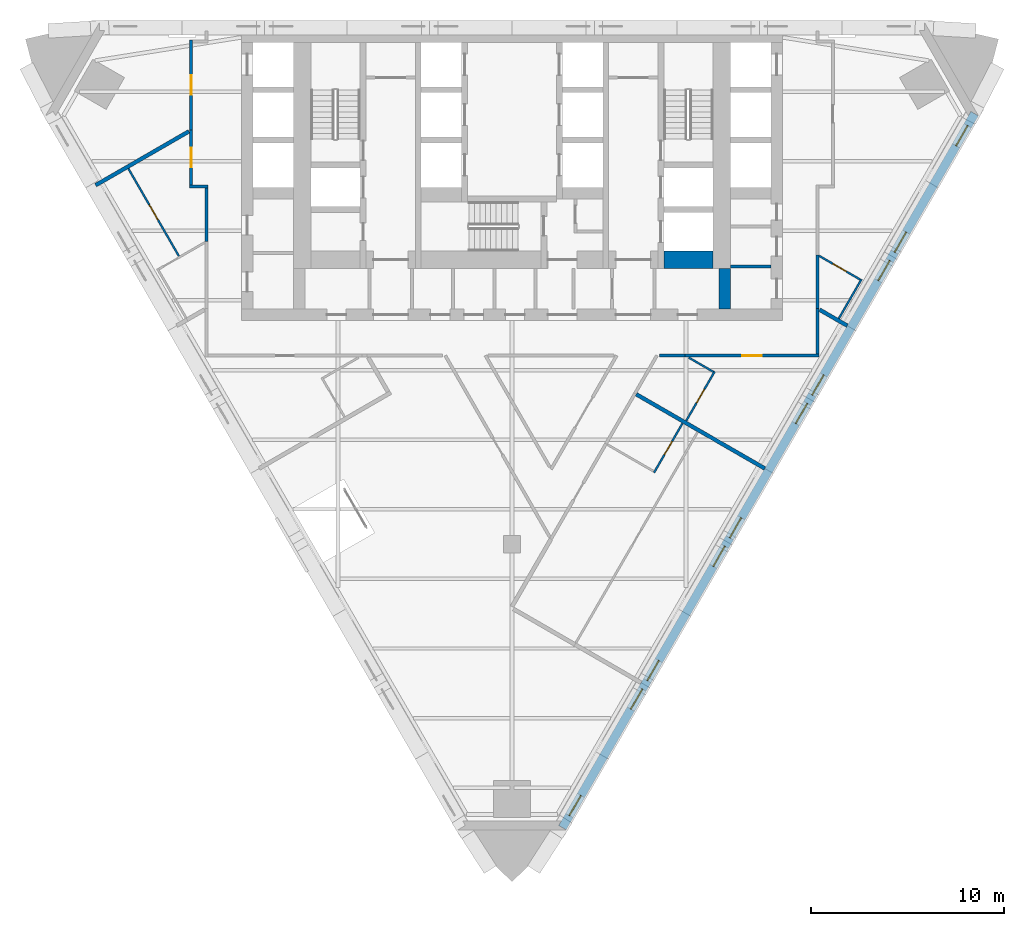
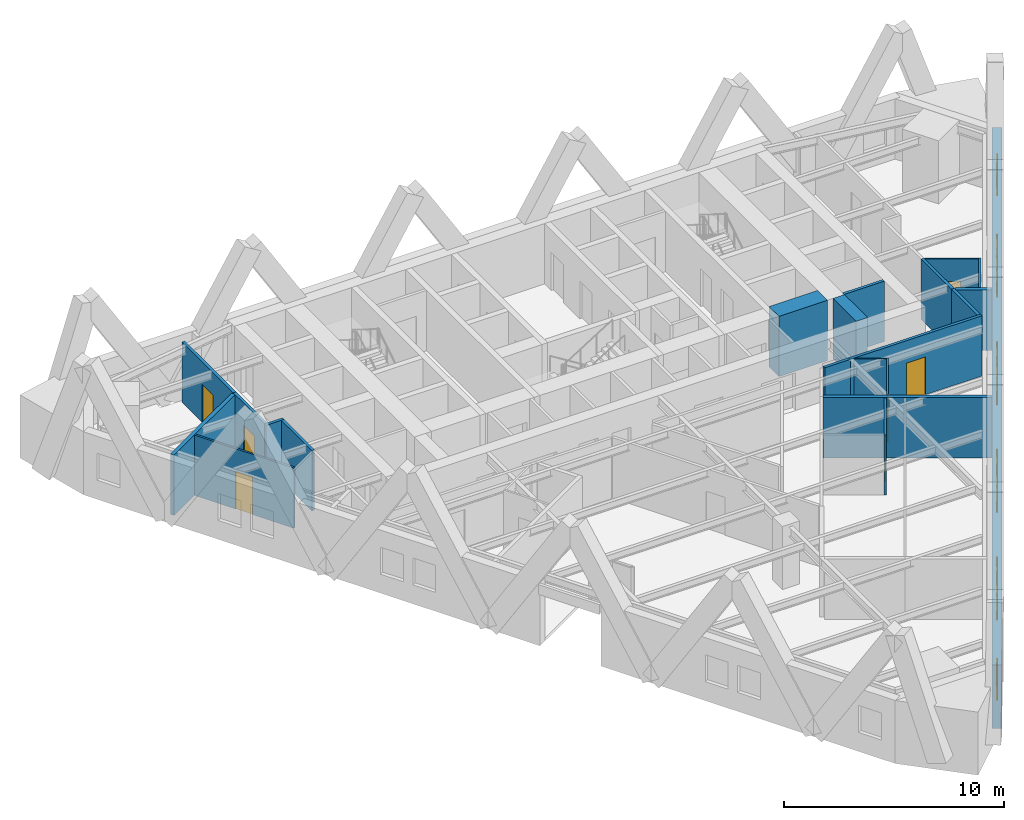
# One storey, part 8 of 12: 21 walls, 10 windows, 7 doors, 17 openings.
"""IFC4 building model written with IfcOpenShell, lengths in metres."""

from ifc_helpers import new_model, si_unit, direction, frame, frame_2d, origin, place, context, subcontext, project, spatial, polyline, rectangle, outline, extrude, material, layer, layer_set, type_object, element, fill, save


model = new_model("IFC4")

# Units and contexts
model_context = context("Model", 3, precision=1e-05, world=origin(), true_north=direction((0.0, 1.0)))
body_context = subcontext(model_context, "Body", "Model", "MODEL_VIEW")
ifc_project = project(units=[si_unit("LENGTHUNIT", "METRE"), si_unit("AREAUNIT", "SQUARE_METRE"), si_unit("VOLUMEUNIT", "CUBIC_METRE"), si_unit("PLANEANGLEUNIT", "RADIAN"), si_unit("MASSUNIT", "GRAM", prefix="KILO")], contexts=[model_context])

# Site, building, storey
site_placement = place(None, origin())
site = spatial("IfcSite", under=ifc_project, at=site_placement, CompositionType="ELEMENT")
building_placement = place(site_placement, origin())
building = spatial("IfcBuilding", under=site, at=building_placement, Name="Aloe Facet Convention Tower", CompositionType="ELEMENT")
storey_placement = place(building_placement, frame((0.0, 0.0, 102.800048828125)))
storey = spatial("IfcBuildingStorey", under=building, at=storey_placement, Name="L25", CompositionType="ELEMENT", Elevation=102.800048828125)

# Walls
ifc_material_1 = material(Name="Concrete blockwork partition", Category="masonry")
ifc_layer_1 = layer(ifc_material_1, 0.14990234375)
ifc_layer_set_1 = layer_set([ifc_layer_1], Name="CR-W-PART150")
wall_type_1 = type_object("IfcWallType", Name="CR-W-PART150", PredefinedType="PARTITIONING", material=ifc_layer_set_1)
wall_1_placement = place(storey_placement, frame((91.300048828125, 122.346435546875, 0.0), z_axis=(0.0, 0.0, 1.0), x_axis=(1.0, 0.0, 0.0)))
element("IfcWall", 1, at=wall_1_placement, inside=storey, type_object=wall_type_1, Name="Core partition L25-052", PredefinedType="PARTITIONING", context=body_context, shape_type="SweptSolid", body=[
    extrude(rectangle(XDim=2.099853515625, YDim=0.14990234375, at=frame_2d((1.0498046875, 0.0))), origin(), (0.0, 0.0, 1.0), 3.349853515625),
])
ifc_material_2 = material(Name="Concrete C70/85", Category="concrete")
ifc_layer_2 = layer(ifc_material_2, 0.60009765625)
ifc_layer_set_2 = layer_set([ifc_layer_2], Name="CR-W-RC600-C7085")
wall_type_2 = type_object("IfcWallType", Name="CR-W-RC600-C7085", PredefinedType="SOLIDWALL", material=ifc_layer_set_2)
wall_2_placement = place(storey_placement, frame((91.0, 122.25, 0.0), z_axis=(0.0, 0.0, 1.0), x_axis=(0.0, -1.0, 0.0)))
element("IfcWall", 2, at=wall_2_placement, inside=storey, type_object=wall_type_2, Name="Core wall L25-047", PredefinedType="SOLIDWALL", context=body_context, shape_type="SweptSolid", body=[
    extrude(rectangle(XDim=2.10009765625, YDim=0.60009765625, at=frame_2d((1.050048828125, 0.0))), origin(), (0.0, 0.0, 1.0), 3.349853515625),
])
ifc_material_3 = material(Name="Concrete C70/85", Category="concrete")
ifc_layer_3 = layer(ifc_material_3, 0.89990234375)
ifc_layer_set_3 = layer_set([ifc_layer_3], Name="CR-W-RC900-C7085")
wall_type_3 = type_object("IfcWallType", Name="CR-W-RC900-C7085", PredefinedType="SOLIDWALL", material=ifc_layer_set_3)
wall_3_placement = place(storey_placement, frame((87.85009765625, 122.699951171875, 0.0), z_axis=(0.0, 0.0, 1.0), x_axis=(1.0, 0.0, 0.0)))
element("IfcWall", 3, at=wall_3_placement, inside=storey, type_object=wall_type_3, Name="Core wall L25-045", PredefinedType="SOLIDWALL", context=body_context, shape_type="SweptSolid", body=[
    extrude(rectangle(XDim=2.5498046875, YDim=0.89990234375, at=frame_2d((1.27490234375, 0.0))), origin(), (0.0, 0.0, 1.0), 3.349853515625),
])

# Wall, openings, windows
ifc_material_4 = material(Name="Precast concrete C40/50", Category="concrete")
ifc_layer_4 = layer(ifc_material_4, 0.449951171875)
ifc_layer_set_4 = layer_set([ifc_layer_4], Name="EV-WALL-STONE")
wall_type_4 = type_object("IfcWallType", Name="EV-WALL-STONE", PredefinedType="SOLIDWALL", material=ifc_layer_set_4)
wall_4_placement = place(storey_placement, frame((82.605224609375, 93.332763671875, -0.150146484375), z_axis=(0.0, 0.0, 1.0), x_axis=(0.500000478905, 0.866025127289, 0.0)))
wall_4 = element("IfcWall", 4, at=wall_4_placement, inside=storey, type_object=wall_type_4, Name="EW-L25-E01", PredefinedType="SOLIDWALL", context=body_context, shape_type="SweptSolid", body=[
    extrude(outline(polyline([(42.64306640625, 0.0), (42.64306640625, 3.5), (0.0, 3.5), (0.0, 0.0), (42.64306640625, 0.0)])), frame((0.0, 0.22509765625, 0.0), z_axis=(0.0, -1.0, 0.0), x_axis=(1.0, 0.0, 0.0)), (0.0, 0.0, 1.0), 0.449951171875),
])
opening_1_placement = place(wall_4_placement, frame((0.720458984375, 0.0, 1.050048828125)))
opening_1 = element("IfcOpeningElement", 5, at=opening_1_placement, cuts=wall_4, Name="Opening W-L25-E01", PredefinedType="OPENING", context=body_context, shape_type="SweptSolid", body=[
    extrude(rectangle(XDim=1.199951171875, YDim=1.5, at=frame_2d((0.60009765625, 0.75))), frame((0.0, 0.23486328125, 0.0), z_axis=(0.0, -1.0, 0.0), x_axis=(1.0, 0.0, 0.0)), (0.0, 0.0, 1.0), 0.469970703125),
])
opening_2_placement = place(wall_4_placement, frame((7.07861328125, 0.0, 1.050048828125)))
opening_2 = element("IfcOpeningElement", 6, at=opening_2_placement, cuts=wall_4, Name="Opening W-L25-E02", PredefinedType="OPENING", context=body_context, shape_type="SweptSolid", body=[
    extrude(rectangle(XDim=1.199951171875, YDim=1.5, at=frame_2d((0.60009765625, 0.75))), frame((0.0, 0.23486328125, 0.0), z_axis=(0.0, -1.0, 0.0), x_axis=(1.0, 0.0, 0.0)), (0.0, 0.0, 1.0), 0.469970703125),
])
opening_3_placement = place(wall_4_placement, frame((8.778564453125, 0.0, 1.050048828125)))
opening_3 = element("IfcOpeningElement", 7, at=opening_3_placement, cuts=wall_4, Name="Opening W-L25-E03", PredefinedType="OPENING", context=body_context, shape_type="SweptSolid", body=[
    extrude(rectangle(XDim=1.199951171875, YDim=1.5, at=frame_2d((0.60009765625, 0.75))), frame((0.0, 0.23486328125, 0.0), z_axis=(0.0, -1.0, 0.0), x_axis=(1.0, 0.0, 0.0)), (0.0, 0.0, 1.0), 0.469970703125),
])
opening_4_placement = place(wall_4_placement, frame((15.607177734375, 0.0, 1.050048828125)))
opening_4 = element("IfcOpeningElement", 8, at=opening_4_placement, cuts=wall_4, Name="Opening W-L25-E04", PredefinedType="OPENING", context=body_context, shape_type="SweptSolid", body=[
    extrude(rectangle(XDim=1.199951171875, YDim=1.5, at=frame_2d((0.60009765625, 0.75))), frame((0.0, 0.23486328125, 0.0), z_axis=(0.0, -1.0, 0.0), x_axis=(1.0, 0.0, 0.0)), (0.0, 0.0, 1.0), 0.469970703125),
])
opening_5_placement = place(wall_4_placement, frame((17.30712890625, 0.0, 1.050048828125)))
opening_5 = element("IfcOpeningElement", 9, at=opening_5_placement, cuts=wall_4, Name="Opening W-L25-E05", PredefinedType="OPENING", context=body_context, shape_type="SweptSolid", body=[
    extrude(rectangle(XDim=1.199951171875, YDim=1.5, at=frame_2d((0.60009765625, 0.75))), frame((0.0, 0.23486328125, 0.0), z_axis=(0.0, -1.0, 0.0), x_axis=(1.0, 0.0, 0.0)), (0.0, 0.0, 1.0), 0.469970703125),
])
opening_6_placement = place(wall_4_placement, frame((24.1357421875, 0.0, 1.050048828125)))
opening_6 = element("IfcOpeningElement", 10, at=opening_6_placement, cuts=wall_4, Name="Opening W-L25-E06", PredefinedType="OPENING", context=body_context, shape_type="SweptSolid", body=[
    extrude(rectangle(XDim=1.199951171875, YDim=1.5, at=frame_2d((0.60009765625, 0.75))), frame((0.0, 0.23486328125, 0.0), z_axis=(0.0, -1.0, 0.0), x_axis=(1.0, 0.0, 0.0)), (0.0, 0.0, 1.0), 0.469970703125),
])
opening_7_placement = place(wall_4_placement, frame((25.8359375, 0.0, 1.050048828125)))
opening_7 = element("IfcOpeningElement", 11, at=opening_7_placement, cuts=wall_4, Name="Opening W-L25-E07", PredefinedType="OPENING", context=body_context, shape_type="SweptSolid", body=[
    extrude(rectangle(XDim=1.199951171875, YDim=1.5, at=frame_2d((0.60009765625, 0.75))), frame((0.0, 0.23486328125, 0.0), z_axis=(0.0, -1.0, 0.0), x_axis=(1.0, 0.0, 0.0)), (0.0, 0.0, 1.0), 0.469970703125),
])
opening_8_placement = place(wall_4_placement, frame((32.66455078125, 0.0, 1.050048828125)))
opening_8 = element("IfcOpeningElement", 12, at=opening_8_placement, cuts=wall_4, Name="Opening W-L25-E08", PredefinedType="OPENING", context=body_context, shape_type="SweptSolid", body=[
    extrude(rectangle(XDim=1.199951171875, YDim=1.5, at=frame_2d((0.60009765625, 0.75))), frame((0.0, 0.23486328125, 0.0), z_axis=(0.0, -1.0, 0.0), x_axis=(1.0, 0.0, 0.0)), (0.0, 0.0, 1.0), 0.469970703125),
])
opening_9_placement = place(wall_4_placement, frame((34.364501953125, 0.0, 1.050048828125)))
opening_9 = element("IfcOpeningElement", 13, at=opening_9_placement, cuts=wall_4, Name="Opening W-L25-E09", PredefinedType="OPENING", context=body_context, shape_type="SweptSolid", body=[
    extrude(rectangle(XDim=1.199951171875, YDim=1.5, at=frame_2d((0.60009765625, 0.75))), frame((0.0, 0.23486328125, 0.0), z_axis=(0.0, -1.0, 0.0), x_axis=(1.0, 0.0, 0.0)), (0.0, 0.0, 1.0), 0.469970703125),
])
opening_10_placement = place(wall_4_placement, frame((40.722412109375, 0.0, 1.050048828125)))
opening_10 = element("IfcOpeningElement", 14, at=opening_10_placement, cuts=wall_4, Name="Opening W-L25-E10", PredefinedType="OPENING", context=body_context, shape_type="SweptSolid", body=[
    extrude(rectangle(XDim=1.199951171875, YDim=1.5, at=frame_2d((0.60009765625, 0.75))), frame((0.0, 0.23486328125, 0.0), z_axis=(0.0, -1.0, 0.0), x_axis=(1.0, 0.0, 0.0)), (0.0, 0.0, 1.0), 0.469970703125),
])
ifc_material_5 = material(Name="Aluminium frame, clear double glazing", Category="aluminium")
window_type = type_object("IfcWindowType", Name="EV-WIN-H12", PartitioningType="SINGLE_PANEL", PredefinedType="WINDOW", material=ifc_material_5)
window_1_placement = place(opening_1_placement, origin())
window_1 = element("IfcWindow", 15, at=window_1_placement, inside=storey, type_object=window_type, Name="W-L25-E01", OverallHeight=1.5, OverallWidth=1.199951171875, PartitioningType="SINGLE_PANEL", PredefinedType="WINDOW", context=body_context, shape_type="SweptSolid", body=[
    extrude(rectangle(XDim=1.199951171875, YDim=1.5, at=frame_2d((0.60009765625, 0.75))), frame((0.0, 0.030029296875, 0.0), z_axis=(0.0, -1.0, 0.0), x_axis=(1.0, 0.0, 0.0)), (0.0, 0.0, 1.0), 0.06005859375),
])
fill(opening_1, window_1)
window_2_placement = place(opening_2_placement, origin())
window_2 = element("IfcWindow", 16, at=window_2_placement, inside=storey, type_object=window_type, Name="W-L25-E02", OverallHeight=1.5, OverallWidth=1.199951171875, PartitioningType="SINGLE_PANEL", PredefinedType="WINDOW", context=body_context, shape_type="SweptSolid", body=[
    extrude(rectangle(XDim=1.199951171875, YDim=1.5, at=frame_2d((0.60009765625, 0.75))), frame((0.0, 0.030029296875, 0.0), z_axis=(0.0, -1.0, 0.0), x_axis=(1.0, 0.0, 0.0)), (0.0, 0.0, 1.0), 0.06005859375),
])
fill(opening_2, window_2)
window_3_placement = place(opening_3_placement, origin())
window_3 = element("IfcWindow", 17, at=window_3_placement, inside=storey, type_object=window_type, Name="W-L25-E03", OverallHeight=1.5, OverallWidth=1.199951171875, PartitioningType="SINGLE_PANEL", PredefinedType="WINDOW", context=body_context, shape_type="SweptSolid", body=[
    extrude(rectangle(XDim=1.199951171875, YDim=1.5, at=frame_2d((0.60009765625, 0.75))), frame((0.0, 0.030029296875, 0.0), z_axis=(0.0, -1.0, 0.0), x_axis=(1.0, 0.0, 0.0)), (0.0, 0.0, 1.0), 0.06005859375),
])
fill(opening_3, window_3)
window_4_placement = place(opening_4_placement, origin())
window_4 = element("IfcWindow", 18, at=window_4_placement, inside=storey, type_object=window_type, Name="W-L25-E04", OverallHeight=1.5, OverallWidth=1.199951171875, PartitioningType="SINGLE_PANEL", PredefinedType="WINDOW", context=body_context, shape_type="SweptSolid", body=[
    extrude(rectangle(XDim=1.199951171875, YDim=1.5, at=frame_2d((0.60009765625, 0.75))), frame((0.0, 0.030029296875, 0.0), z_axis=(0.0, -1.0, 0.0), x_axis=(1.0, 0.0, 0.0)), (0.0, 0.0, 1.0), 0.06005859375),
])
fill(opening_4, window_4)
window_5_placement = place(opening_5_placement, origin())
window_5 = element("IfcWindow", 19, at=window_5_placement, inside=storey, type_object=window_type, Name="W-L25-E05", OverallHeight=1.5, OverallWidth=1.199951171875, PartitioningType="SINGLE_PANEL", PredefinedType="WINDOW", context=body_context, shape_type="SweptSolid", body=[
    extrude(rectangle(XDim=1.199951171875, YDim=1.5, at=frame_2d((0.60009765625, 0.75))), frame((0.0, 0.030029296875, 0.0), z_axis=(0.0, -1.0, 0.0), x_axis=(1.0, 0.0, 0.0)), (0.0, 0.0, 1.0), 0.06005859375),
])
fill(opening_5, window_5)
window_6_placement = place(opening_6_placement, origin())
window_6 = element("IfcWindow", 20, at=window_6_placement, inside=storey, type_object=window_type, Name="W-L25-E06", OverallHeight=1.5, OverallWidth=1.199951171875, PartitioningType="SINGLE_PANEL", PredefinedType="WINDOW", context=body_context, shape_type="SweptSolid", body=[
    extrude(rectangle(XDim=1.199951171875, YDim=1.5, at=frame_2d((0.60009765625, 0.75))), frame((0.0, 0.030029296875, 0.0), z_axis=(0.0, -1.0, 0.0), x_axis=(1.0, 0.0, 0.0)), (0.0, 0.0, 1.0), 0.06005859375),
])
fill(opening_6, window_6)
window_7_placement = place(opening_7_placement, origin())
window_7 = element("IfcWindow", 21, at=window_7_placement, inside=storey, type_object=window_type, Name="W-L25-E07", OverallHeight=1.5, OverallWidth=1.199951171875, PartitioningType="SINGLE_PANEL", PredefinedType="WINDOW", context=body_context, shape_type="SweptSolid", body=[
    extrude(rectangle(XDim=1.199951171875, YDim=1.5, at=frame_2d((0.60009765625, 0.75))), frame((0.0, 0.030029296875, 0.0), z_axis=(0.0, -1.0, 0.0), x_axis=(1.0, 0.0, 0.0)), (0.0, 0.0, 1.0), 0.06005859375),
])
fill(opening_7, window_7)
window_8_placement = place(opening_8_placement, origin())
window_8 = element("IfcWindow", 22, at=window_8_placement, inside=storey, type_object=window_type, Name="W-L25-E08", OverallHeight=1.5, OverallWidth=1.199951171875, PartitioningType="SINGLE_PANEL", PredefinedType="WINDOW", context=body_context, shape_type="SweptSolid", body=[
    extrude(rectangle(XDim=1.199951171875, YDim=1.5, at=frame_2d((0.60009765625, 0.75))), frame((0.0, 0.030029296875, 0.0), z_axis=(0.0, -1.0, 0.0), x_axis=(1.0, 0.0, 0.0)), (0.0, 0.0, 1.0), 0.06005859375),
])
fill(opening_8, window_8)
window_9_placement = place(opening_9_placement, origin())
window_9 = element("IfcWindow", 23, at=window_9_placement, inside=storey, type_object=window_type, Name="W-L25-E09", OverallHeight=1.5, OverallWidth=1.199951171875, PartitioningType="SINGLE_PANEL", PredefinedType="WINDOW", context=body_context, shape_type="SweptSolid", body=[
    extrude(rectangle(XDim=1.199951171875, YDim=1.5, at=frame_2d((0.60009765625, 0.75))), frame((0.0, 0.030029296875, 0.0), z_axis=(0.0, -1.0, 0.0), x_axis=(1.0, 0.0, 0.0)), (0.0, 0.0, 1.0), 0.06005859375),
])
fill(opening_9, window_9)
window_10_placement = place(opening_10_placement, origin())
window_10 = element("IfcWindow", 24, at=window_10_placement, inside=storey, type_object=window_type, Name="W-L25-E10", OverallHeight=1.5, OverallWidth=1.199951171875, PartitioningType="SINGLE_PANEL", PredefinedType="WINDOW", context=body_context, shape_type="SweptSolid", body=[
    extrude(rectangle(XDim=1.199951171875, YDim=1.5, at=frame_2d((0.60009765625, 0.75))), frame((0.0, 0.030029296875, 0.0), z_axis=(0.0, -1.0, 0.0), x_axis=(1.0, 0.0, 0.0)), (0.0, 0.0, 1.0), 0.06005859375),
])
fill(opening_10, window_10)

# Wall
ifc_material_6 = material(Name="Gypsum board partition on steel studs", Category="steel")
ifc_layer_5 = layer(ifc_material_6, 0.14990234375)
ifc_layer_set_5 = layer_set([ifc_layer_5], Name="IN-W-CORR")
wall_type_5 = type_object("IfcWallType", Name="IN-W-CORR", PredefinedType="PARTITIONING", material=ifc_layer_set_5)
wall_5_placement = place(storey_placement, frame((87.62353515625, 117.75, 0.0), z_axis=(0.0, 0.0, 1.0), x_axis=(1.0, 0.0, 0.0)))
element("IfcWall", 25, at=wall_5_placement, inside=storey, type_object=wall_type_5, Name="Partition L25-W040", PredefinedType="PARTITIONING", context=body_context, shape_type="SweptSolid", body=[
    extrude(rectangle(XDim=1.332763671875, YDim=0.14990234375, at=frame_2d((0.66650390625, 0.0))), origin(), (0.0, 0.0, 1.0), 3.349853515625),
])

# Wall, opening, door
wall_6_placement = place(storey_placement, frame((88.956298828125, 117.75, 0.0), z_axis=(0.0, 0.0, 1.0), x_axis=(1.0, 0.0, 0.0)))
wall_6 = element("IfcWall", 26, at=wall_6_placement, inside=storey, type_object=wall_type_5, Name="Partition L25-W042", PredefinedType="PARTITIONING", context=body_context, shape_type="SweptSolid", body=[
    extrude(rectangle(XDim=6.918701171875, YDim=0.14990234375, at=frame_2d((3.45947265625, 0.0))), origin(), (0.0, 0.0, 1.0), 3.349853515625),
])
opening_11_placement = place(wall_6_placement, frame((2.959228515625, 0.0, 0.0)))
opening_11 = element("IfcOpeningElement", 27, at=opening_11_placement, cuts=wall_6, Name="Opening L25-002", PredefinedType="OPENING", context=body_context, shape_type="SweptSolid", body=[
    extrude(rectangle(XDim=1.0, YDim=2.10009765625, at=frame_2d((0.5, 1.050048828125))), frame((0.0, 0.0849609375, 0.0), z_axis=(0.0, -1.0, 0.0), x_axis=(1.0, 0.0, 0.0)), (0.0, 0.0, 1.0), 0.169921875),
])
ifc_material_7 = material(Name="Hardwood flush door FD30S", Category="wood")
door_type_1 = type_object("IfcDoorType", Name="IN-D-WIDE", OperationType="SINGLE_SWING_LEFT", PredefinedType="DOOR", material=ifc_material_7)
door_1_placement = place(opening_11_placement, origin())
door_1 = element("IfcDoor", 28, at=door_1_placement, inside=storey, type_object=door_type_1, Name="Door L25-002", OperationType="SINGLE_SWING_LEFT", OverallHeight=2.10009765625, OverallWidth=1.0, PredefinedType="DOOR", context=body_context, shape_type="SweptSolid", body=[
    extrude(rectangle(XDim=1.0, YDim=2.10009765625, at=frame_2d((0.5, 1.050048828125))), frame((0.0, 0.02490234375, 0.0), z_axis=(0.0, -1.0, 0.0), x_axis=(1.0, 0.0, 0.0)), (0.0, 0.0, 1.0), 0.050048828125),
])
fill(opening_11, door_1)

# Walls
wall_7_placement = place(storey_placement, frame((95.800048828125, 117.824951171875, 0.0), z_axis=(0.0, 0.0, 1.0), x_axis=(0.0, 1.0, 0.0)))
element("IfcWall", 29, at=wall_7_placement, inside=storey, type_object=wall_type_5, Name="Partition L25-W049", PredefinedType="PARTITIONING", context=body_context, shape_type="SweptSolid", body=[
    extrude(rectangle(XDim=2.357666015625, YDim=0.14990234375, at=frame_2d((1.1787109375, 0.0))), origin(), (0.0, 0.0, 1.0), 3.349853515625),
])
wall_8_placement = place(storey_placement, frame((95.800048828125, 120.1826171875, 0.0), z_axis=(0.0, 0.0, 1.0), x_axis=(0.0, 1.0, 0.0)))
element("IfcWall", 30, at=wall_8_placement, inside=storey, type_object=wall_type_5, Name="Partition L25-W051", PredefinedType="PARTITIONING", context=body_context, shape_type="SweptSolid", body=[
    extrude(rectangle(XDim=2.771484375, YDim=0.14990234375, at=frame_2d((1.3857421875, 0.0))), origin(), (0.0, 0.0, 1.0), 3.349853515625),
])
wall_9_placement = place(storey_placement, frame((63.324951171875, 126.5, 0.0), z_axis=(0.0, 0.0, 1.0), x_axis=(1.0, 0.0, 0.0)))
element("IfcWall", 31, at=wall_9_placement, inside=storey, type_object=wall_type_5, Name="Partition L25-W059", PredefinedType="PARTITIONING", context=body_context, shape_type="SweptSolid", body=[
    extrude(rectangle(XDim=0.949951171875, YDim=0.14990234375, at=frame_2d((0.47509765625, 0.0))), origin(), (0.0, 0.0, 1.0), 3.349853515625),
])
wall_10_placement = place(storey_placement, frame((64.199951171875, 123.646728515625, 0.0), z_axis=(0.0, 0.0, 1.0), x_axis=(0.0, 1.0, 0.0)))
element("IfcWall", 32, at=wall_10_placement, inside=storey, type_object=wall_type_5, Name="Partition L25-W060", PredefinedType="PARTITIONING", context=body_context, shape_type="SweptSolid", body=[
    extrude(rectangle(XDim=2.7783203125, YDim=0.14990234375, at=frame_2d((1.38916015625, 0.0))), origin(), (0.0, 0.0, 1.0), 3.349853515625),
])

# Wall, opening, door
wall_11_placement = place(storey_placement, frame((63.39990234375, 126.574951171875, 0.0), z_axis=(0.0, 0.0, 1.0), x_axis=(0.0, 1.0, 0.0)))
wall_11 = element("IfcWall", 33, at=wall_11_placement, inside=storey, type_object=wall_type_5, Name="Partition L25-W065", PredefinedType="PARTITIONING", context=body_context, shape_type="SweptSolid", body=[
    extrude(rectangle(XDim=2.830810546875, YDim=0.14990234375, at=frame_2d((1.41552734375, 0.0))), origin(), (0.0, 0.0, 1.0), 3.349853515625),
])
opening_12_placement = place(wall_11_placement, frame((0.915283203125, 0.0, 0.0)))
opening_12 = element("IfcOpeningElement", 34, at=opening_12_placement, cuts=wall_11, Name="Opening L25-007", PredefinedType="OPENING", context=body_context, shape_type="SweptSolid", body=[
    extrude(rectangle(XDim=1.0, YDim=2.10009765625, at=frame_2d((0.5, 1.050048828125))), frame((0.0, 0.0849609375, 0.0), z_axis=(0.0, -1.0, 0.0), x_axis=(1.0, 0.0, 0.0)), (0.0, 0.0, 1.0), 0.169921875),
])
door_2_placement = place(opening_12_placement, origin())
door_2 = element("IfcDoor", 35, at=door_2_placement, inside=storey, type_object=door_type_1, Name="Door L25-007", OperationType="SINGLE_SWING_LEFT", OverallHeight=2.10009765625, OverallWidth=1.0, PredefinedType="DOOR", context=body_context, shape_type="SweptSolid", body=[
    extrude(rectangle(XDim=1.0, YDim=2.10009765625, at=frame_2d((0.5, 1.050048828125))), frame((0.0, 0.02490234375, 0.0), z_axis=(0.0, -1.0, 0.0), x_axis=(1.0, 0.0, 0.0)), (0.0, 0.0, 1.0), 0.050048828125),
])
fill(opening_12, door_2)

wall_12_placement = place(storey_placement, frame((63.39990234375, 129.40576171875, 0.0), z_axis=(0.0, 0.0, 1.0), x_axis=(0.0, 1.0, 0.0)))
wall_12 = element("IfcWall", 36, at=wall_12_placement, inside=storey, type_object=wall_type_5, Name="Partition L25-W067", PredefinedType="PARTITIONING", context=body_context, shape_type="SweptSolid", body=[
    extrude(rectangle(XDim=4.669189453125, YDim=0.14990234375, at=frame_2d((2.33447265625, 0.0))), origin(), (0.0, 0.0, 1.0), 3.349853515625),
])
opening_13_placement = place(wall_12_placement, frame((1.834716796875, 0.0, 0.0)))
opening_13 = element("IfcOpeningElement", 37, at=opening_13_placement, cuts=wall_12, Name="Opening L25-005", PredefinedType="OPENING", context=body_context, shape_type="SweptSolid", body=[
    extrude(rectangle(XDim=1.0, YDim=2.10009765625, at=frame_2d((0.5, 1.050048828125))), frame((0.0, 0.0849609375, 0.0), z_axis=(0.0, -1.0, 0.0), x_axis=(1.0, 0.0, 0.0)), (0.0, 0.0, 1.0), 0.169921875),
])
door_3_placement = place(opening_13_placement, origin())
door_3 = element("IfcDoor", 38, at=door_3_placement, inside=storey, type_object=door_type_1, Name="Door L25-005", OperationType="SINGLE_SWING_LEFT", OverallHeight=2.10009765625, OverallWidth=1.0, PredefinedType="DOOR", context=body_context, shape_type="SweptSolid", body=[
    extrude(rectangle(XDim=1.0, YDim=2.10009765625, at=frame_2d((0.5, 1.050048828125))), frame((0.0, 0.02490234375, 0.0), z_axis=(0.0, -1.0, 0.0), x_axis=(1.0, 0.0, 0.0)), (0.0, 0.0, 1.0), 0.050048828125),
])
fill(opening_13, door_3)

ifc_material_8 = material(Name="Gypsum board partition on steel studs", Category="steel")
ifc_layer_6 = layer(ifc_material_8, 0.10009765625)
ifc_layer_set_6 = layer_set([ifc_layer_6], Name="IN-W-PART")
wall_type_6 = type_object("IfcWallType", Name="IN-W-PART", PredefinedType="PARTITIONING", material=ifc_layer_set_6)
wall_13_placement = place(storey_placement, frame((87.345947265625, 111.69384765625, 0.0), z_axis=(0.0, 0.0, 1.0), x_axis=(0.499988418424, 0.866032090307, 0.0)))
wall_13 = element("IfcWall", 39, at=wall_13_placement, inside=storey, type_object=wall_type_6, Name="Partition L25-W006", PredefinedType="PARTITIONING", context=body_context, shape_type="SweptSolid", body=[
    extrude(rectangle(XDim=2.93994140625, YDim=0.10009765625, at=frame_2d((1.469970703125, 0.0))), origin(), (0.0, 0.0, 1.0), 3.349853515625),
])
opening_14_placement = place(wall_13_placement, frame((1.070068359375, 0.0, 0.0)))
opening_14 = element("IfcOpeningElement", 40, at=opening_14_placement, cuts=wall_13, Name="Opening L25-012", PredefinedType="OPENING", context=body_context, shape_type="SweptSolid", body=[
    extrude(rectangle(XDim=0.800048828125, YDim=2.10009765625, at=frame_2d((0.39990234375, 1.050048828125))), frame((0.0, 0.06005859375, 0.0), z_axis=(0.0, -1.0, 0.0), x_axis=(1.0, 0.0, 0.0)), (0.0, 0.0, 1.0), 0.1201171875),
])
ifc_material_9 = material(Name="Timber flush door", Category="wood")
door_type_2 = type_object("IfcDoorType", Name="IN-D-BATH", OperationType="SINGLE_SWING_LEFT", PredefinedType="DOOR", material=ifc_material_9)
door_4_placement = place(opening_14_placement, origin())
door_4 = element("IfcDoor", 41, at=door_4_placement, inside=storey, type_object=door_type_2, Name="Door L25-012", OperationType="SINGLE_SWING_LEFT", OverallHeight=2.10009765625, OverallWidth=0.800048828125, PredefinedType="DOOR", context=body_context, shape_type="SweptSolid", body=[
    extrude(rectangle(XDim=0.800048828125, YDim=2.10009765625, at=frame_2d((0.39990234375, 1.050048828125))), frame((0.0, 0.02490234375, 0.0), z_axis=(0.0, -1.0, 0.0), x_axis=(1.0, 0.0, 0.0)), (0.0, 0.0, 1.0), 0.050048828125),
])
fill(opening_14, door_4)

wall_14_placement = place(storey_placement, frame((89.00732421875, 114.371826171875, 0.0), z_axis=(0.0, 0.0, 1.0), x_axis=(0.500001826776, 0.866024349092, 0.0)))
wall_14 = element("IfcWall", 42, at=wall_14_placement, inside=storey, type_object=wall_type_6, Name="Partition L25-W032", PredefinedType="PARTITIONING", context=body_context, shape_type="SweptSolid", body=[
    extrude(rectangle(XDim=2.9501953125, YDim=0.10009765625, at=frame_2d((1.47509765625, 0.0))), origin(), (0.0, 0.0, 1.0), 3.349853515625),
])
opening_15_placement = place(wall_14_placement, frame((1.074951171875, 0.0, 0.0)))
opening_15 = element("IfcOpeningElement", 43, at=opening_15_placement, cuts=wall_14, Name="Opening L25-014", PredefinedType="OPENING", context=body_context, shape_type="SweptSolid", body=[
    extrude(rectangle(XDim=0.800048828125, YDim=2.10009765625, at=frame_2d((0.39990234375, 1.050048828125))), frame((0.0, 0.06005859375, 0.0), z_axis=(0.0, -1.0, 0.0), x_axis=(1.0, 0.0, 0.0)), (0.0, 0.0, 1.0), 0.1201171875),
])
door_5_placement = place(opening_15_placement, origin())
door_5 = element("IfcDoor", 44, at=door_5_placement, inside=storey, type_object=door_type_2, Name="Door L25-014", OperationType="SINGLE_SWING_LEFT", OverallHeight=2.10009765625, OverallWidth=0.800048828125, PredefinedType="DOOR", context=body_context, shape_type="SweptSolid", body=[
    extrude(rectangle(XDim=0.800048828125, YDim=2.10009765625, at=frame_2d((0.39990234375, 1.050048828125))), frame((0.0, 0.02490234375, 0.0), z_axis=(0.0, -1.0, 0.0), x_axis=(1.0, 0.0, 0.0)), (0.0, 0.0, 1.0), 0.050048828125),
])
fill(opening_15, door_5)

# Walls
wall_15_placement = place(storey_placement, frame((89.1337890625, 117.6474609375, 0.0), z_axis=(0.0, 0.0, 1.0), x_axis=(0.866070083097, -0.499922605174, 0.0)))
element("IfcWall", 45, at=wall_15_placement, inside=storey, type_object=wall_type_6, Name="Partition L25-W041", PredefinedType="PARTITIONING", context=body_context, shape_type="SweptSolid", body=[
    extrude(rectangle(XDim=1.478271484375, YDim=0.10009765625, at=frame_2d((0.7392578125, 0.0))), origin(), (0.0, 0.0, 1.0), 3.349853515625),
])
wall_16_placement = place(storey_placement, frame((96.901611328125, 119.662109375, 0.0), z_axis=(0.0, 0.0, 1.0), x_axis=(0.500016218704, 0.866016039709, 0.0)))
element("IfcWall", 46, at=wall_16_placement, inside=storey, type_object=wall_type_6, Name="Partition L25-W052", PredefinedType="PARTITIONING", context=body_context, shape_type="SweptSolid", body=[
    extrude(rectangle(XDim=2.35009765625, YDim=0.10009765625, at=frame_2d((1.175048828125, 0.0))), origin(), (0.0, 0.0, 1.0), 3.349853515625),
])

# Wall, opening, door
wall_17_placement = place(storey_placement, frame((60.1591796875, 127.419189453125, 0.0), z_axis=(0.0, 0.0, 1.0), x_axis=(0.499971765402, -0.866041704423, 0.0)))
wall_17 = element("IfcWall", 47, at=wall_17_placement, inside=storey, type_object=wall_type_6, Name="Partition L25-W054", PredefinedType="PARTITIONING", context=body_context, shape_type="SweptSolid", body=[
    extrude(rectangle(XDim=5.227294921875, YDim=0.10009765625, at=frame_2d((2.61376953125, 0.0))), origin(), (0.0, 0.0, 1.0), 3.349853515625),
])
opening_16_placement = place(wall_17_placement, frame((2.16357421875, 0.0, 0.0)))
opening_16 = element("IfcOpeningElement", 48, at=opening_16_placement, cuts=wall_17, Name="Opening L25-010", PredefinedType="OPENING", context=body_context, shape_type="SweptSolid", body=[
    extrude(rectangle(XDim=0.89990234375, YDim=2.10009765625, at=frame_2d((0.449951171875, 1.050048828125))), frame((0.0, 0.06005859375, 0.0), z_axis=(0.0, -1.0, 0.0), x_axis=(1.0, 0.0, 0.0)), (0.0, 0.0, 1.0), 0.1201171875),
])
ifc_material_10 = material(Name="Timber flush door", Category="wood")
door_type_3 = type_object("IfcDoorType", Name="IN-D-INT", OperationType="SINGLE_SWING_LEFT", PredefinedType="DOOR", material=ifc_material_10)
door_6_placement = place(opening_16_placement, origin())
door_6 = element("IfcDoor", 49, at=door_6_placement, inside=storey, type_object=door_type_3, Name="Door L25-010", OperationType="SINGLE_SWING_LEFT", OverallHeight=2.10009765625, OverallWidth=0.89990234375, PredefinedType="DOOR", context=body_context, shape_type="SweptSolid", body=[
    extrude(rectangle(XDim=0.89990234375, YDim=2.10009765625, at=frame_2d((0.449951171875, 1.050048828125))), frame((0.0, 0.02490234375, 0.0), z_axis=(0.0, -1.0, 0.0), x_axis=(1.0, 0.0, 0.0)), (0.0, 0.0, 1.0), 0.050048828125),
])
fill(opening_16, door_6)

wall_18_placement = place(storey_placement, frame((95.88232421875, 122.906494140625, 0.0), z_axis=(0.0, 0.0, 1.0), x_axis=(0.866006720078, -0.500032359733, 0.0)))
wall_18 = element("IfcWall", 50, at=wall_18_placement, inside=storey, type_object=wall_type_6, Name="Partition L25-W055", PredefinedType="PARTITIONING", context=body_context, shape_type="SweptSolid", body=[
    extrude(rectangle(XDim=2.454833984375, YDim=0.10009765625, at=frame_2d((1.2275390625, 0.0))), origin(), (0.0, 0.0, 1.0), 3.349853515625),
])
opening_17_placement = place(wall_18_placement, frame((0.827392578125, 0.0, 0.0)))
opening_17 = element("IfcOpeningElement", 51, at=opening_17_placement, cuts=wall_18, Name="Opening L25-015", PredefinedType="OPENING", context=body_context, shape_type="SweptSolid", body=[
    extrude(rectangle(XDim=0.800048828125, YDim=2.10009765625, at=frame_2d((0.39990234375, 1.050048828125))), frame((0.0, 0.06005859375, 0.0), z_axis=(0.0, -1.0, 0.0), x_axis=(1.0, 0.0, 0.0)), (0.0, 0.0, 1.0), 0.1201171875),
])
door_7_placement = place(opening_17_placement, origin())
door_7 = element("IfcDoor", 52, at=door_7_placement, inside=storey, type_object=door_type_2, Name="Door L25-015", OperationType="SINGLE_SWING_LEFT", OverallHeight=2.10009765625, OverallWidth=0.800048828125, PredefinedType="DOOR", context=body_context, shape_type="SweptSolid", body=[
    extrude(rectangle(XDim=0.800048828125, YDim=2.10009765625, at=frame_2d((0.39990234375, 1.050048828125))), frame((0.0, 0.02490234375, 0.0), z_axis=(0.0, -1.0, 0.0), x_axis=(1.0, 0.0, 0.0)), (0.0, 0.0, 1.0), 0.050048828125),
])
fill(opening_17, door_7)

# Walls
ifc_material_11 = material(Name="Gypsum board partition on steel studs", Category="steel")
ifc_layer_7 = layer(ifc_material_11, 0.199951171875)
ifc_layer_set_7 = layer_set([ifc_layer_7], Name="IN-W-PARTY")
wall_type_7 = type_object("IfcWallType", Name="IN-W-PARTY", PredefinedType="PARTITIONING", material=ifc_layer_set_7)
wall_19_placement = place(storey_placement, frame((86.42431640625, 115.747802734375, 0.0), z_axis=(0.0, 0.0, 1.0), x_axis=(0.866016603171, -0.5000152428, 0.0)))
element("IfcWall", 53, at=wall_19_placement, inside=storey, type_object=wall_type_7, Name="Partition L25-W009", PredefinedType="PARTITIONING", context=body_context, shape_type="SweptSolid", body=[
    extrude(rectangle(XDim=7.675048828125, YDim=0.199951171875, at=frame_2d((3.83740234375, 0.0))), origin(), (0.0, 0.0, 1.0), 3.349853515625),
])
wall_20_placement = place(storey_placement, frame((95.908203125, 120.1201171875, 0.0), z_axis=(0.0, 0.0, 1.0), x_axis=(0.866101713734, -0.499867803992, 0.0)))
element("IfcWall", 54, at=wall_20_placement, inside=storey, type_object=wall_type_7, Name="Partition L25-W044", PredefinedType="PARTITIONING", context=body_context, shape_type="SweptSolid", body=[
    extrude(rectangle(XDim=1.64794921875, YDim=0.199951171875, at=frame_2d((0.823974609375, 0.0))), origin(), (0.0, 0.0, 1.0), 3.349853515625),
])
wall_21_placement = place(storey_placement, frame((58.470947265625, 126.559814453125, 0.0), z_axis=(0.0, 0.0, 1.0), x_axis=(0.866013219245, 0.500021103647, 0.0)))
element("IfcWall", 55, at=wall_21_placement, inside=storey, type_object=wall_type_7, Name="Partition L25-W066", PredefinedType="PARTITIONING", context=body_context, shape_type="SweptSolid", body=[
    extrude(rectangle(XDim=5.566650390625, YDim=0.199951171875, at=frame_2d((2.783203125, 0.0))), origin(), (0.0, 0.0, 1.0), 3.349853515625),
])

save(model, "model.ifc")
